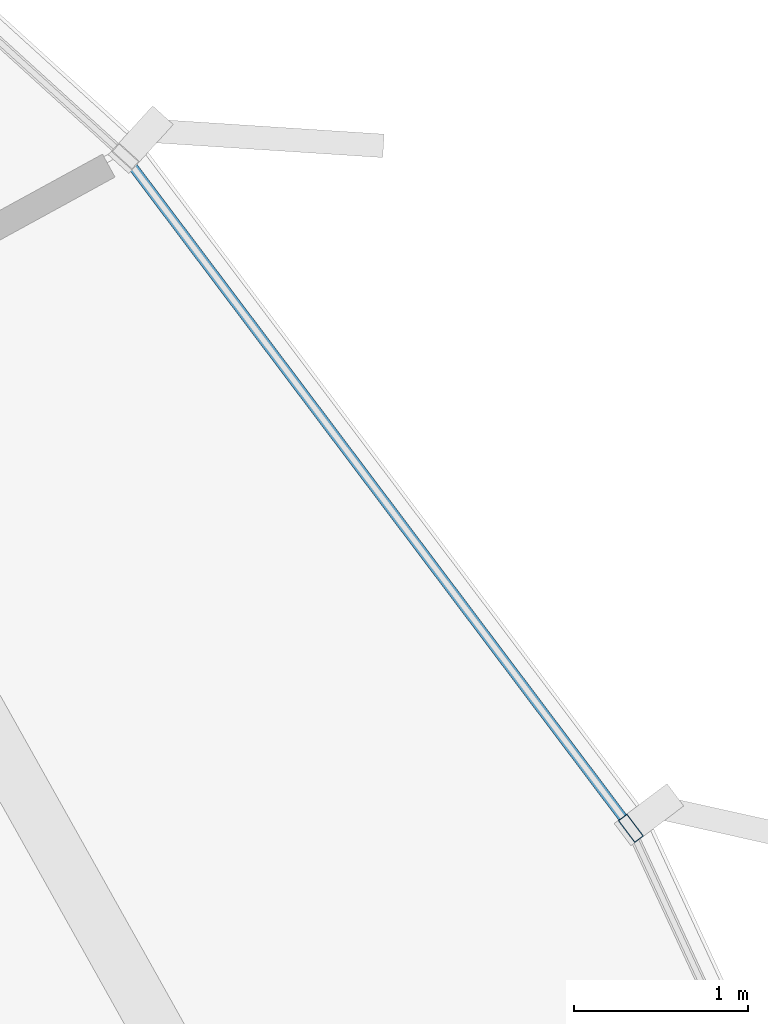
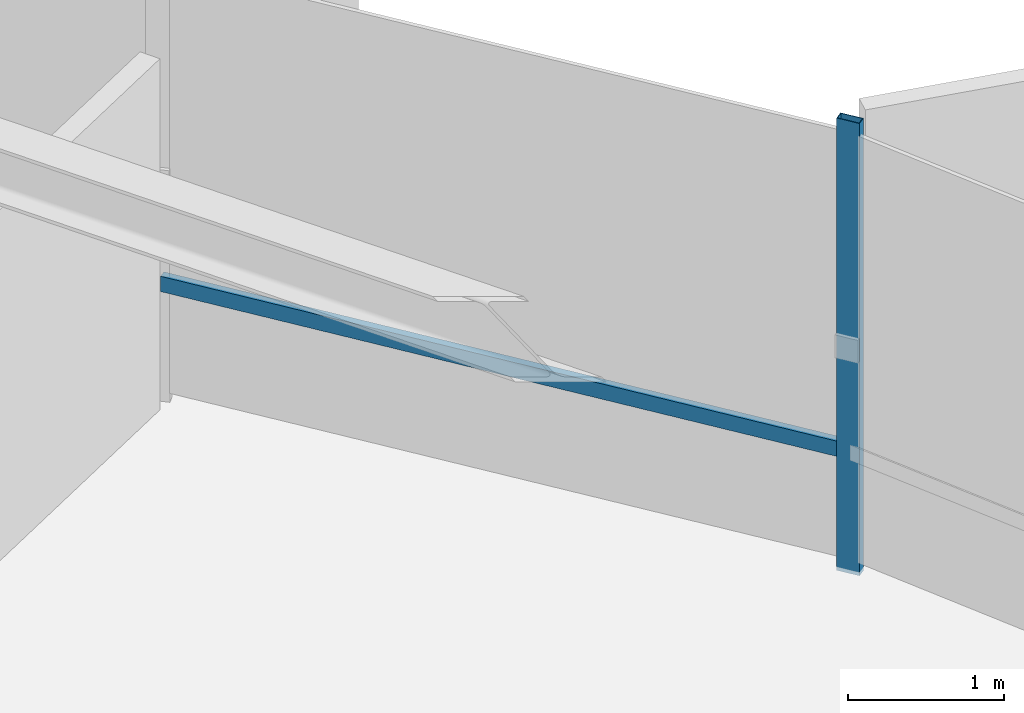
# One storey, part 23 of 37: 2 members, 1 element without a shape of its own.
"""IFC4 building model written with IfcOpenShell, lengths in metres."""

import ifcopenshell
import ifcopenshell.guid

model = None  # the IFC model being written
_history = None  # IfcOwnerHistory: only IFC2X3 demands one
_inside = {}  # id of a spatial element -> (the spatial element, [elements in it])
_under = {}  # id of a project, library or spatial element -> (it, [spatial elements below it])
_declared = {}  # id of a project -> (the project, [libraries it declares])
_typed = {}  # id of a type object -> (the type object, [elements of that type])
_made_of = {}  # id of a material, layer set ... -> (it, [elements and type objects made of it])


def new_model(schema):
    """Start an empty IFC model of exactly this schema.

    Asked for "IFC4X3", IfcOpenShell would pick the latest addendum, in which some entities
    have other attributes; the version numbers below select the first issue.
    IFC2X3 requires an IfcOwnerHistory on every rooted entity: one is made here for all.
    """
    global model, _history
    if schema == "IFC4X3":
        model = ifcopenshell.file(schema_version=(4, 3, 0, 0))
    else:
        model = ifcopenshell.file(schema=schema)
    _inside.clear()
    _under.clear()
    _declared.clear()
    _typed.clear()
    _made_of.clear()
    _history = None
    if model.schema == "IFC2X3":
        org = make("IfcOrganization", Name="unknown")
        user = make(
            "IfcPersonAndOrganization",
            ThePerson=make("IfcPerson", FamilyName="unknown"),
            TheOrganization=org,
        )
        app = make(
            "IfcApplication",
            ApplicationDeveloper=org,
            Version="unknown",
            ApplicationFullName="unknown",
            ApplicationIdentifier="unknown",
        )
        _history = make(
            "IfcOwnerHistory",
            OwningUser=user,
            OwningApplication=app,
            ChangeAction="ADDED",
            CreationDate=0,
        )
    return model


def make(cls, **values):
    """One entity of the class cls with the attributes given. An attribute that is None is left unset."""
    return model.create_entity(
        cls, **{name: value for name, value in values.items() if value is not None}
    )


def rooted(cls, **values):
    """An entity with a GlobalId (a new one), such as an element, a storey or a relation."""
    return make(cls, GlobalId=ifcopenshell.guid.new(), OwnerHistory=_history, **values)


def si_unit(unit_type, name, prefix=None):
    """IfcSIUnit, for example si_unit("LENGTHUNIT", "METRE", prefix="MILLI")."""
    return make("IfcSIUnit", UnitType=unit_type, Prefix=prefix, Name=name)


def assignment(units):
    """IfcUnitAssignment: the units of a project."""
    return None if units is None else make("IfcUnitAssignment", Units=units)


def point(xyz):
    """IfcCartesianPoint."""
    return None if xyz is None else make("IfcCartesianPoint", Coordinates=xyz)


def direction(xyz):
    """IfcDirection."""
    return None if xyz is None else make("IfcDirection", DirectionRatios=xyz)


def frame(location, z_axis=None, x_axis=None):
    """IfcAxis2Placement3D, a coordinate frame: its origin and axes. An axis left out is left unset."""
    return make(
        "IfcAxis2Placement3D",
        Location=point(location),
        Axis=direction(z_axis),
        RefDirection=direction(x_axis),
    )


def frame_2d(location, x_axis=None):
    """IfcAxis2Placement2D, a coordinate frame in the plane: its origin and x axis."""
    return make(
        "IfcAxis2Placement2D", Location=point(location), RefDirection=direction(x_axis)
    )


def origin():
    """The frame at (0, 0, 0) with its axes left unset."""
    return frame((0.0, 0.0, 0.0))


def origin_2d():
    """The frame at (0, 0) in the plane with its x axis left unset."""
    return frame_2d((0.0, 0.0))


def place(relative_to, where):
    """IfcLocalPlacement: puts the frame where relative to a parent placement (None: the world)."""
    return make(
        "IfcLocalPlacement", PlacementRelTo=relative_to, RelativePlacement=where
    )


def context(
    kind, dimensions, precision=None, world=None, true_north=None, identifier=None
):
    """IfcGeometricRepresentationContext, for example the 3D "Model" context."""
    return make(
        "IfcGeometricRepresentationContext",
        ContextIdentifier=identifier,
        ContextType=kind,
        CoordinateSpaceDimension=dimensions,
        Precision=precision,
        WorldCoordinateSystem=world,
        TrueNorth=true_north,
    )


def subcontext(parent, identifier, kind, view, scale=None):
    """IfcGeometricRepresentationSubContext, for example "Body" below "Model"."""
    return make(
        "IfcGeometricRepresentationSubContext",
        ContextIdentifier=identifier,
        ContextType=kind,
        ParentContext=parent,
        TargetScale=scale,
        TargetView=view,
    )


def project(units=None, contexts=None):
    """IfcProject with its units and contexts."""
    return rooted(
        "IfcProject",
        Name="project",
        RepresentationContexts=contexts,
        UnitsInContext=assignment(units),
    )


def spatial(cls, under=None, at=None, **own):
    """A site, building, storey or space (cls), placed at a placement, below another one or the project."""
    s = rooted(cls, ObjectPlacement=at, **own)
    if under is not None:
        _under.setdefault(under.id(), (under, []))[1].append(s)
    return s


def profile(cls, at=None, kind="AREA", **sizes):
    """A parametric profile (cls). Its sizes go by their IFC names, for example OverallWidth=200.0."""
    return make(cls, ProfileType=kind, Position=at, **sizes)


def hollow_rectangle(**sizes):
    """IfcRectangleHollowProfileDef."""
    return profile("IfcRectangleHollowProfileDef", **sizes)


def extrude(swept, where, along, depth):
    """IfcExtrudedAreaSolid: the profile swept, set in the frame where, extruded along a direction by depth."""
    return make(
        "IfcExtrudedAreaSolid",
        SweptArea=swept,
        Position=where,
        ExtrudedDirection=direction(along),
        Depth=depth,
    )


def shape(context_of_items, identifier, shape_type, items):
    """IfcShapeRepresentation: the items that make up one representation, for example the "Body"."""
    return make(
        "IfcShapeRepresentation",
        ContextOfItems=context_of_items,
        RepresentationIdentifier=identifier,
        RepresentationType=shape_type,
        Items=items,
    )


def source(mapping_origin, context_of_items, identifier, shape_type, items):
    """IfcRepresentationMap: a shape defined once, which mapped items show again and again."""
    return make(
        "IfcRepresentationMap",
        MappingOrigin=mapping_origin,
        MappedRepresentation=shape(context_of_items, identifier, shape_type, items),
    )


def transform(
    local_origin,
    x_axis=None,
    y_axis=None,
    z_axis=None,
    scale=None,
    scale2=None,
    scale3=None,
    uniform=True,
):
    """IfcCartesianTransformationOperator3D, or its non-uniform kind. x_axis, y_axis, z_axis: its Axis1, 2, 3."""
    if uniform:
        return make(
            "IfcCartesianTransformationOperator3D",
            Axis1=direction(x_axis),
            Axis2=direction(y_axis),
            LocalOrigin=point(local_origin),
            Scale=scale,
            Axis3=direction(z_axis),
        )
    return make(
        "IfcCartesianTransformationOperator3DnonUniform",
        Axis1=direction(x_axis),
        Axis2=direction(y_axis),
        LocalOrigin=point(local_origin),
        Scale=scale,
        Axis3=direction(z_axis),
        Scale2=scale2,
        Scale3=scale3,
    )


def mapped(mapping_source, mapping_target):
    """IfcMappedItem: shows the shape of a source again, moved by a transform."""
    return make(
        "IfcMappedItem", MappingSource=mapping_source, MappingTarget=mapping_target
    )


def material(Name=None, Category=None):
    """IfcMaterial."""
    return make("IfcMaterial", Name=Name, Category=Category)


def layer(
    of_material, thickness, ventilated=None, Name=None, Category=None, Priority=None
):
    """IfcMaterialLayer: one layer of a wall or slab, of a material (None: an air gap)."""
    return make(
        "IfcMaterialLayer",
        Material=of_material,
        LayerThickness=thickness,
        IsVentilated=ventilated,
        Name=Name,
        Category=Category,
        Priority=Priority,
    )


def layer_set(layers, Name=None):
    """IfcMaterialLayerSet."""
    return make("IfcMaterialLayerSet", MaterialLayers=layers, LayerSetName=Name)


def material_profile(
    of_material, cross_section, Name=None, Category=None, Priority=None
):
    """IfcMaterialProfile: a cross section and its material."""
    return make(
        "IfcMaterialProfile",
        Name=Name,
        Material=of_material,
        Profile=cross_section,
        Priority=Priority,
        Category=Category,
    )


def profile_set(profiles, Name=None, composite=None):
    """IfcMaterialProfileSet."""
    return make(
        "IfcMaterialProfileSet",
        Name=Name,
        MaterialProfiles=profiles,
        CompositeProfile=composite,
    )


def made_of(thing, what):
    """Note that an element or type object is made of a material, layer set ...; save() writes the relation."""
    if what is not None:
        _made_of.setdefault(what.id(), (what, []))[1].append(thing)
    return thing


def type_object(cls, material=None, **own):
    """A type object (cls), such as IfcWallType, which elements share."""
    return made_of(rooted(cls, **own), material)


def element(
    cls,
    number,
    at=None,
    inside=None,
    cuts=None,
    type_object=None,
    material=None,
    context=None,
    identifier="Body",
    shape_type=None,
    held_by="IfcProductDefinitionShape",
    body=None,
    shapes=None,
    **own,
):
    """One element of the class cls, such as IfcWall. Its Tag is "e" and its number.

    at: its placement. inside: the storey or other place that contains it. cuts: it is an
    opening in that element (IfcRelVoidsElement). A single representation is given by context,
    identifier, shape_type and body (its items); several are given by shapes. held_by: the class
    of the entity that holds the representations. save() writes the other relations.
    """
    e = rooted(cls, Tag="e%d" % number, ObjectPlacement=at, **own)
    if body is not None:
        shapes = [shape(context, identifier, shape_type, body)]
    if shapes is not None:
        e.Representation = make(held_by, Representations=shapes)
    if inside is not None:
        _inside.setdefault(inside.id(), (inside, []))[1].append(e)
    if cuts is not None:
        rooted(
            "IfcRelVoidsElement", RelatingBuildingElement=cuts, RelatedOpeningElement=e
        )
    if type_object is not None:
        _typed.setdefault(type_object.id(), (type_object, []))[1].append(e)
    return made_of(e, material)


def aggregate(whole, parts):
    """IfcRelAggregates: a whole, such as a stair, and the parts it consists of."""
    return rooted("IfcRelAggregates", RelatingObject=whole, RelatedObjects=parts)


def save(model, path):
    """Write the relations noted so far, then the file.

    IfcRelAggregates (storeys below a building ...), IfcRelContainedInSpatialStructure (elements
    in a storey), IfcRelDefinesByType, IfcRelAssociatesMaterial and IfcRelDeclares: one each for
    every whole, place, type object, material and project.
    """
    for whole, parts in _under.values():
        aggregate(whole, parts)
    for where, things in _inside.values():
        rooted(
            "IfcRelContainedInSpatialStructure",
            RelatedElements=things,
            RelatingStructure=where,
        )
    for kind, things in _typed.values():
        rooted("IfcRelDefinesByType", RelatedObjects=things, RelatingType=kind)
    for what, things in _made_of.values():
        rooted("IfcRelAssociatesMaterial", RelatedObjects=things, RelatingMaterial=what)
    for by, libraries in _declared.values():
        rooted("IfcRelDeclares", RelatingContext=by, RelatedDefinitions=libraries)
    model.write(path)


model = new_model("IFC4")

# Units and contexts
model_context = context("Model", 3, precision=1e-05, world=origin(), true_north=direction((0.0, 1.0)))
body_context = subcontext(model_context, "Body", "Model", "MODEL_VIEW")
ifc_project = project(units=[si_unit("LENGTHUNIT", "METRE"), si_unit("AREAUNIT", "SQUARE_METRE"), si_unit("VOLUMEUNIT", "CUBIC_METRE"), si_unit("PLANEANGLEUNIT", "RADIAN"), si_unit("MASSUNIT", "GRAM", prefix="KILO"), si_unit("THERMODYNAMICTEMPERATUREUNIT", "KELVIN")], contexts=[model_context])

# Site, building, storey
site_placement = place(None, origin())
site = spatial("IfcSite", under=ifc_project, at=site_placement, CompositionType="ELEMENT")
building_placement = place(site_placement, origin())
building = spatial("IfcBuilding", under=site, at=building_placement, Name="Kethvar Cultural Tower", CompositionType="ELEMENT")
storey_placement = place(building_placement, frame((0.0, 0.0, 48.60009765625)))
storey = spatial("IfcBuildingStorey", under=building, at=storey_placement, Name="L11", CompositionType="ELEMENT", Elevation=48.60009765625)

# Curtain wall, members
ifc_material = material(Name="Aluminium 6063-T6", Category="aluminium")
ifc_layer = layer(ifc_material, 0.179931640625, Name="Aluminium 6063-T6", Category="aluminium")
ifc_layer_set = layer_set([ifc_layer], Name="Aluminium 6063-T6 (180 mm)")
curtain_wall_type = type_object("IfcCurtainWallType", Name="CW-SYS-02-Z1", PredefinedType="NOTDEFINED", material=ifc_layer_set)
curtain_wall_placement = place(storey_placement, origin())
curtain_wall = element("IfcCurtainWall", 1, at=curtain_wall_placement, inside=storey, type_object=curtain_wall_type, Name="L11 Curtain Wall Run 01", PredefinedType="NOTDEFINED")
ifc_material_profile_1 = material_profile(ifc_material, hollow_rectangle(XDim=0.06494140625, YDim=0.159912109375, WallThickness=0.0048828125, at=origin_2d()), Name="Aluminium 6063-T6 — RHS160x65x5")
ifc_profile_set_1 = profile_set([ifc_material_profile_1], Name="Aluminium 6063-T6 — RHS160x65x5")
member_type_1 = type_object("IfcMemberType", Name="CW-SYS-02-Z1-MUL", PredefinedType="MULLION", material=ifc_profile_set_1)
shared_shape_1 = source(origin(), body_context, "Body", "SweptSolid", [
    extrude(hollow_rectangle(XDim=0.06494140625, YDim=0.159912109375, WallThickness=0.0048828125, at=origin_2d()), origin(), (0.0, 0.0, 1.0), 3.5498046875),
])
member_1_placement = place(storey_placement, frame((77.1064453125, 39.00830078125, 0.0), z_axis=(0.0, 0.0, 1.0), x_axis=(-0.79891902001, -0.601438608227, 0.0)))
member_1 = element("IfcMember", 2, at=member_1_placement, type_object=member_type_1, Name="CW-L11-R01 Mullion 3", PredefinedType="MULLION", context=body_context, shape_type="MappedRepresentation", body=[
    mapped(shared_shape_1, transform((0.0, 0.0, 0.0), scale=1.0)),
])
ifc_material_profile_2 = material_profile(ifc_material, hollow_rectangle(XDim=0.054931640625, YDim=0.1201171875, WallThickness=0.00390625, at=origin_2d()), Name="Aluminium 6063-T6 — RHS120x55x4")
ifc_profile_set_2 = profile_set([ifc_material_profile_2], Name="Aluminium 6063-T6 — RHS120x55x4")
member_type_2 = type_object("IfcMemberType", Name="CW-SYS-02-Z1-TRN", PredefinedType="USERDEFINED", material=ifc_profile_set_2)
shared_shape_2 = source(origin(), body_context, "Body", "SweptSolid", [
    extrude(hollow_rectangle(XDim=0.054931640625, YDim=0.1201171875, WallThickness=0.00390625, at=origin_2d()), origin(), (0.0, 0.0, 1.0), 4.757568359375),
])
member_2_placement = place(storey_placement, frame((77.078369140625, 39.045654296875, 0.949951171875), z_axis=(-0.601419471575, 0.798933426019, 0.0), x_axis=(-0.798933426019, -0.601419471575, 0.0)))
member_2 = element("IfcMember", 3, at=member_2_placement, type_object=member_type_2, Name="CW-L11-R01 Transom 3", ObjectType="TRANSOM", PredefinedType="USERDEFINED", context=body_context, shape_type="MappedRepresentation", body=[
    mapped(shared_shape_2, transform((0.0, 0.0, 0.0), scale=1.0)),
])
aggregate(curtain_wall, [member_1, member_2])

save(model, "model.ifc")
